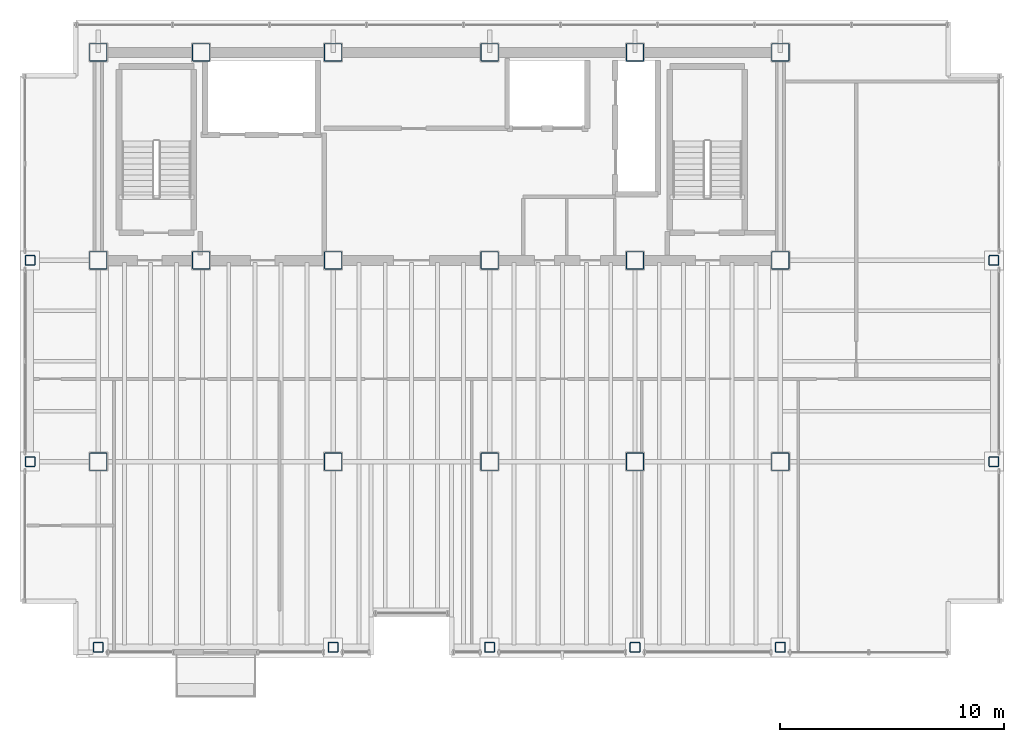
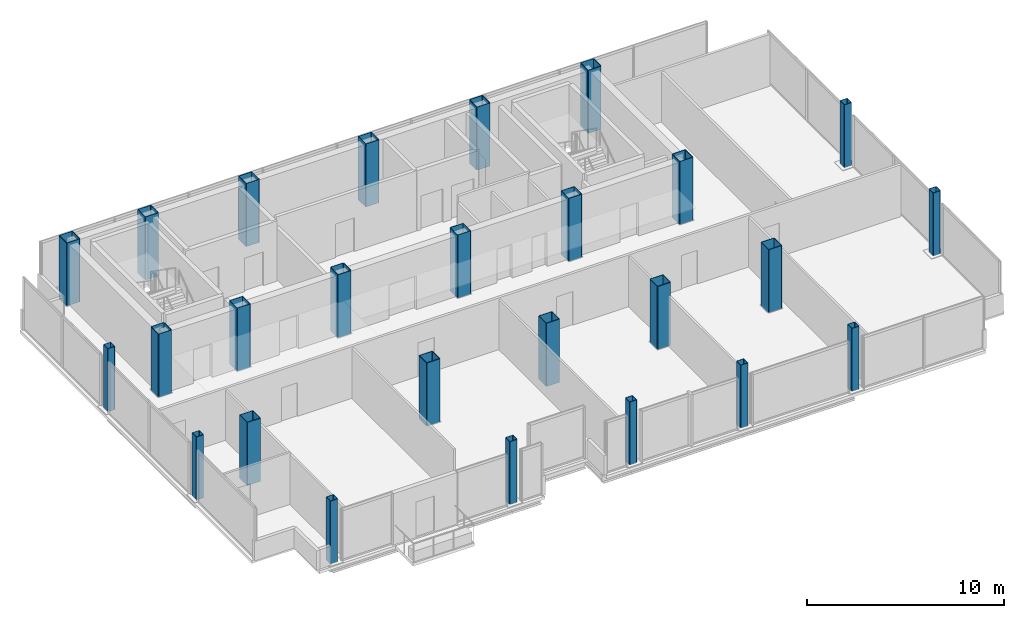
# One storey, part 1 of 15: 26 columns.
"""IFC4 building model written with IfcOpenShell, lengths in metres."""

from ifc_helpers import new_model, si_unit, direction, frame, origin, origin_2d, place, context, subcontext, project, spatial, hollow_rectangle, extrude, material, material_profile, profile_set, type_object, element, save


model = new_model("IFC4")

# Units and contexts
model_context = context("Model", 3, precision=1e-05, world=origin(), true_north=direction((0.0, 1.0)))
body_context = subcontext(model_context, "Body", "Model", "MODEL_VIEW")
ifc_project = project(units=[si_unit("LENGTHUNIT", "METRE"), si_unit("AREAUNIT", "SQUARE_METRE"), si_unit("VOLUMEUNIT", "CUBIC_METRE"), si_unit("PLANEANGLEUNIT", "RADIAN"), si_unit("MASSUNIT", "GRAM", prefix="KILO")], contexts=[model_context])

# Site, building, storey
site_placement = place(None, origin())
site = spatial("IfcSite", under=ifc_project, at=site_placement, CompositionType="ELEMENT")
building_placement = place(site_placement, origin())
building = spatial("IfcBuilding", under=site, at=building_placement, Name="Noeulbin Bourse Tower", CompositionType="ELEMENT")
storey_placement = place(building_placement, frame((0.0, 0.0, 215.0)))
storey = spatial("IfcBuildingStorey", under=building, at=storey_placement, Name="L53", CompositionType="ELEMENT", Elevation=215.0)

# Columns
ifc_material = material(Name="Steel S355", Category="steel")
ifc_material_profile_1 = material_profile(ifc_material, hollow_rectangle(XDim=0.449951171875, YDim=0.449951171875, WallThickness=0.02197265625, InnerFilletRadius=0.02197265625, OuterFilletRadius=0.0439453125, at=origin_2d()), Name="SHS-450x450x22", Category="LoadBearing")
ifc_profile_set_1 = profile_set([ifc_material_profile_1], Name="Steel S355")
column_type_1 = type_object("IfcColumnType", Name="COL-PER-Z3", PredefinedType="COLUMN", material=ifc_profile_set_1)
for number, where, z_axis, x_axis, name in (
    (1, (10.449951171875, 20.0, 0.0), (0.0, 0.0, 1.0), (1.0, 0.0, 0.0), "Tower Perimeter Column COL-PER-Z3 01"),
    (2, (10.449951171875, 29.0, 0.0), (0.0, 0.0, 1.0), (1.0, 0.0, 0.0), "Tower Perimeter Column COL-PER-Z3 02"),
    (3, (13.5, 11.699951171875, 0.0), (0.0, 0.0, 1.0), (1.0, 0.0, 0.0), "Tower Perimeter Column COL-PER-Z3 03"),
    (4, (24.0, 11.699951171875, 0.0), (0.0, 0.0, 1.0), (1.0, 0.0, 0.0), "Tower Perimeter Column COL-PER-Z3 04"),
    (5, (31.0, 11.699951171875, 0.0), (0.0, 0.0, 1.0), (1.0, 0.0, 0.0), "Tower Perimeter Column COL-PER-Z3 05"),
    (6, (37.5, 11.699951171875, 0.0), (0.0, 0.0, 1.0), (1.0, 0.0, 0.0), "Tower Perimeter Column COL-PER-Z3 06"),
    (7, (44.0, 11.699951171875, 0.0), (0.0, 0.0, 1.0), (1.0, 0.0, 0.0), "Tower Perimeter Column COL-PER-Z3 07"),
    (8, (53.550048828125, 20.0, 0.0), (0.0, 0.0, 1.0), (1.0, 0.0, 0.0), "Tower Perimeter Column COL-PER-Z3 08"),
    (9, (53.550048828125, 29.0, 0.0), (0.0, 0.0, 1.0), (1.0, 0.0, 0.0), "Tower Perimeter Column COL-PER-Z3 09"),
):
    element("IfcColumn", number, at=place(storey_placement, frame(where, z_axis=z_axis, x_axis=x_axis)), inside=storey, type_object=column_type_1, Name=name, PredefinedType="COLUMN", context=body_context, shape_type="SweptSolid", body=[
        extrude(hollow_rectangle(XDim=0.449951171875, YDim=0.449951171875, WallThickness=0.02197265625, InnerFilletRadius=0.02197265625, OuterFilletRadius=0.0439453125, at=origin_2d()), origin(), (0.0, 0.0, 1.0), 3.89990234375),
    ])
ifc_material_profile_2 = material_profile(ifc_material, hollow_rectangle(XDim=0.800048828125, YDim=0.800048828125, WallThickness=0.031982421875, InnerFilletRadius=0.01611328125, OuterFilletRadius=0.048095703125, at=origin_2d()), Name="BOX-800x800x32", Category="LoadBearing")
ifc_profile_set_2 = profile_set([ifc_material_profile_2], Name="Steel S355")
column_type_2 = type_object("IfcColumnType", Name="COL-TRK-Z3", PredefinedType="COLUMN", material=ifc_profile_set_2)
for number, where, z_axis, x_axis, name in (
    (10, (13.5, 29.0, 0.0), (0.0, 0.0, 1.0), (1.0, 0.0, 0.0), "Tower Trunk Mega-Column COL-TRK-Z3 01"),
    (11, (13.5, 38.300048828125, 0.0), (0.0, 0.0, 1.0), (1.0, 0.0, 0.0), "Tower Trunk Mega-Column COL-TRK-Z3 02"),
    (12, (18.10009765625, 29.0, 0.0), (0.0, 0.0, 1.0), (1.0, 0.0, 0.0), "Tower Trunk Mega-Column COL-TRK-Z3 03"),
    (13, (18.10009765625, 38.300048828125, 0.0), (0.0, 0.0, 1.0), (1.0, 0.0, 0.0), "Tower Trunk Mega-Column COL-TRK-Z3 04"),
    (14, (24.0, 29.0, 0.0), (0.0, 0.0, 1.0), (1.0, 0.0, 0.0), "Tower Trunk Mega-Column COL-TRK-Z3 05"),
    (15, (24.0, 38.300048828125, 0.0), (0.0, 0.0, 1.0), (1.0, 0.0, 0.0), "Tower Trunk Mega-Column COL-TRK-Z3 06"),
    (16, (31.0, 29.0, 0.0), (0.0, 0.0, 1.0), (1.0, 0.0, 0.0), "Tower Trunk Mega-Column COL-TRK-Z3 07"),
    (17, (31.0, 38.300048828125, 0.0), (0.0, 0.0, 1.0), (1.0, 0.0, 0.0), "Tower Trunk Mega-Column COL-TRK-Z3 08"),
    (18, (37.5, 29.0, 0.0), (0.0, 0.0, 1.0), (1.0, 0.0, 0.0), "Tower Trunk Mega-Column COL-TRK-Z3 09"),
    (19, (37.5, 38.300048828125, 0.0), (0.0, 0.0, 1.0), (1.0, 0.0, 0.0), "Tower Trunk Mega-Column COL-TRK-Z3 10"),
    (20, (44.0, 29.0, 0.0), (0.0, 0.0, 1.0), (1.0, 0.0, 0.0), "Tower Trunk Mega-Column COL-TRK-Z3 11"),
    (21, (44.0, 38.300048828125, 0.0), (0.0, 0.0, 1.0), (1.0, 0.0, 0.0), "Tower Trunk Mega-Column COL-TRK-Z3 12"),
    (22, (13.5, 20.0, 0.0), (0.0, 0.0, 1.0), (1.0, 0.0, 0.0), "Tower Trunk Mega-Column COL-TRK-Z3 13"),
    (23, (24.0, 20.0, 0.0), (0.0, 0.0, 1.0), (1.0, 0.0, 0.0), "Tower Trunk Mega-Column COL-TRK-Z3 14"),
    (24, (31.0, 20.0, 0.0), (0.0, 0.0, 1.0), (1.0, 0.0, 0.0), "Tower Trunk Mega-Column COL-TRK-Z3 15"),
    (25, (37.5, 20.0, 0.0), (0.0, 0.0, 1.0), (1.0, 0.0, 0.0), "Tower Trunk Mega-Column COL-TRK-Z3 16"),
    (26, (44.0, 20.0, 0.0), (0.0, 0.0, 1.0), (1.0, 0.0, 0.0), "Tower Trunk Mega-Column COL-TRK-Z3 17"),
):
    element("IfcColumn", number, at=place(storey_placement, frame(where, z_axis=z_axis, x_axis=x_axis)), inside=storey, type_object=column_type_2, Name=name, PredefinedType="COLUMN", context=body_context, shape_type="SweptSolid", body=[
        extrude(hollow_rectangle(XDim=0.800048828125, YDim=0.800048828125, WallThickness=0.031982421875, InnerFilletRadius=0.01611328125, OuterFilletRadius=0.048095703125, at=origin_2d()), origin(), (0.0, 0.0, 1.0), 3.89990234375),
    ])

save(model, "model.ifc")
